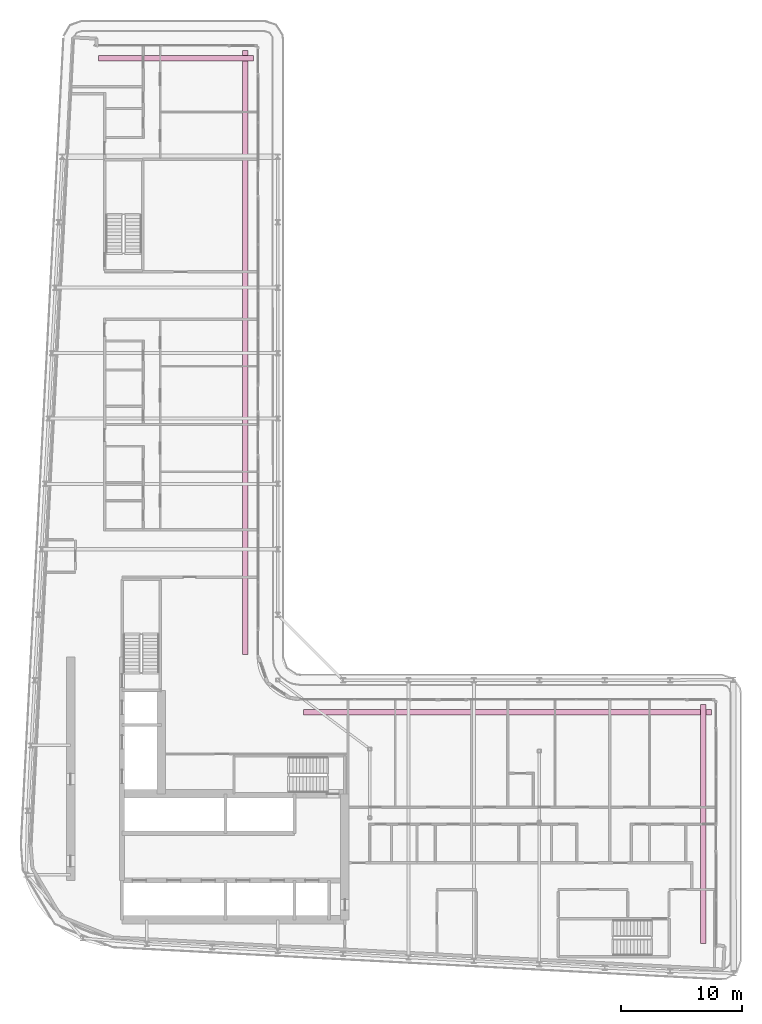
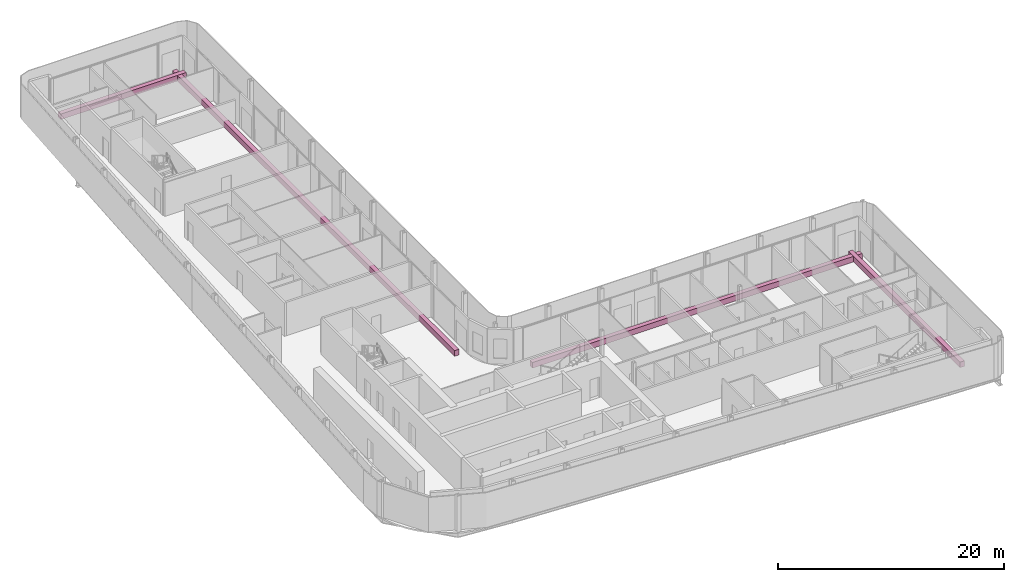
# One storey, part 22 of 22: 4 furniture elements.
"""IFC4 building model written with IfcOpenShell, lengths in metres."""

from ifc_helpers import new_model, si_unit, direction, frame, origin, origin_2d, place, context, subcontext, project, spatial, rectangle, extrude, material, type_object, element, save


model = new_model("IFC4")

# Units and contexts
model_context = context("Model", 3, precision=1e-05, world=origin(), true_north=direction((0.0, 1.0)))
body_context = subcontext(model_context, "Body", "Model", "MODEL_VIEW")
ifc_project = project(units=[si_unit("LENGTHUNIT", "METRE"), si_unit("AREAUNIT", "SQUARE_METRE"), si_unit("VOLUMEUNIT", "CUBIC_METRE"), si_unit("PLANEANGLEUNIT", "RADIAN"), si_unit("MASSUNIT", "GRAM", prefix="KILO")], contexts=[model_context])

# Site, building, storey
site_placement = place(None, origin())
site = spatial("IfcSite", under=ifc_project, at=site_placement, CompositionType="ELEMENT")
building_placement = place(site_placement, origin())
building = spatial("IfcBuilding", under=site, at=building_placement, Name="Kheshtan School and Residences Tower", CompositionType="ELEMENT")
storey_placement = place(building_placement, frame((0.0, 0.0, 255.199951171875)))
storey = spatial("IfcBuildingStorey", under=building, at=storey_placement, Name="L60", CompositionType="ELEMENT", Elevation=255.199951171875)

# Furniture
ifc_material = material(Name="Precast concrete C30/37 in terracotta finish", Category="masonry")
furniture_type = type_object("IfcFurnitureType", Name="Planter trough", AssemblyPlace="NOTDEFINED", PredefinedType="USERDEFINED", material=ifc_material)
furniture_1_placement = place(storey_placement, frame((39.196044921875, 96.925048828125, 0.0), z_axis=(0.0, 0.0, 1.0), x_axis=(1.0, 0.0, 0.0)))
element("IfcFurniture", 1, at=furniture_1_placement, inside=storey, type_object=furniture_type, Name="Planter L60", ObjectType="PLANTER", PredefinedType="USERDEFINED", context=body_context, shape_type="SweptSolid", body=[
    extrude(rectangle(XDim=12.80810546875, YDim=0.449951171875, at=origin_2d()), origin(), (0.0, 0.0, 1.0), 0.60009765625),
])
furniture_2_placement = place(storey_placement, frame((44.925048828125, 72.6650390625, 0.0), z_axis=(0.0, 0.0, 1.0), x_axis=(0.0, -1.0, 0.0)))
element("IfcFurniture", 2, at=furniture_2_placement, inside=storey, type_object=furniture_type, Name="Planter L60", ObjectType="PLANTER", PredefinedType="USERDEFINED", context=body_context, shape_type="SweptSolid", body=[
    extrude(rectangle(XDim=49.8701171875, YDim=0.449951171875, at=origin_2d()), origin(), (0.0, 0.0, 1.0), 0.60009765625),
])
furniture_3_placement = place(storey_placement, frame((66.56494140625, 42.925048828125, 0.0), z_axis=(0.0, 0.0, 1.0), x_axis=(1.0, 0.0, 0.0)))
element("IfcFurniture", 3, at=furniture_3_placement, inside=storey, type_object=furniture_type, Name="Planter L60", ObjectType="PLANTER", PredefinedType="USERDEFINED", context=body_context, shape_type="SweptSolid", body=[
    extrude(rectangle(XDim=33.669921875, YDim=0.449951171875, at=origin_2d()), origin(), (0.0, 0.0, 1.0), 0.60009765625),
])
furniture_4_placement = place(storey_placement, frame((82.72509765625, 33.73291015625, 0.0), z_axis=(0.0, 0.0, 1.0), x_axis=(0.0, -1.0, 0.0)))
element("IfcFurniture", 4, at=furniture_4_placement, inside=storey, type_object=furniture_type, Name="Planter L60", ObjectType="PLANTER", PredefinedType="USERDEFINED", context=body_context, shape_type="SweptSolid", body=[
    extrude(rectangle(XDim=19.73291015625, YDim=0.449951171875, at=origin_2d()), origin(), (0.0, 0.0, 1.0), 0.60009765625),
])

save(model, "model.ifc")
